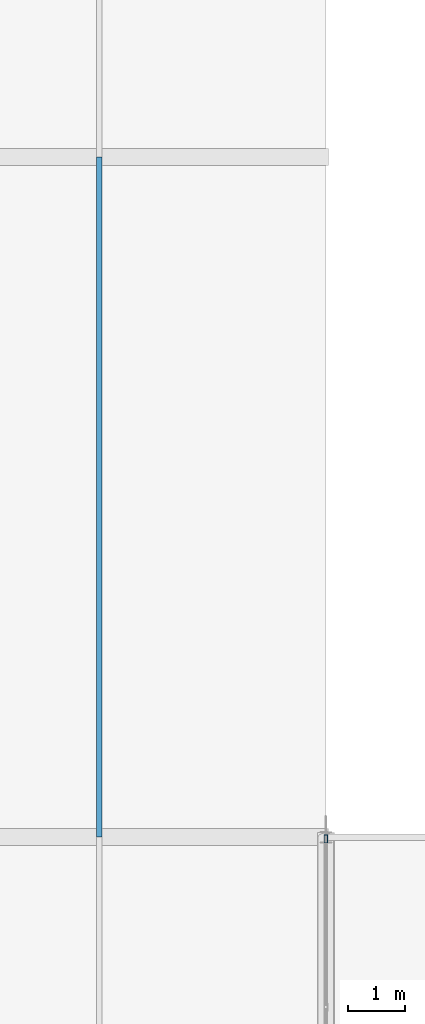
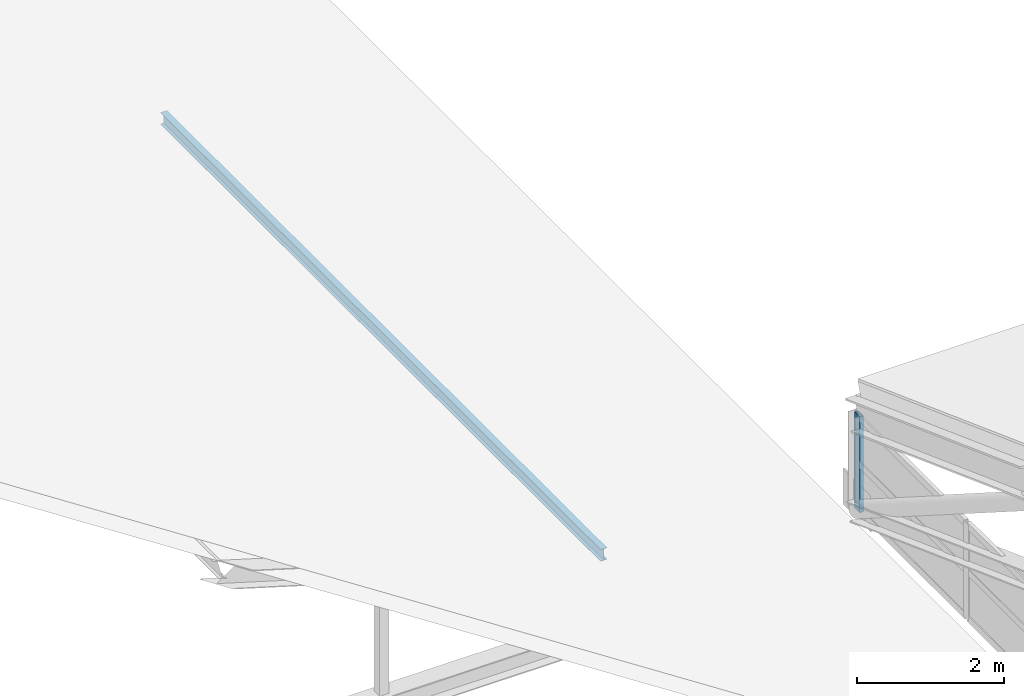
# One storey, part 41 of 204: 2 members, 1 element without a shape of its own.
"""IFC4 building model written with IfcOpenShell, lengths in metres."""

from ifc_helpers import new_model, si_unit, direction, frame, origin, origin_2d, place, context, subcontext, project, spatial, hollow_rectangle, i_section, extrude, material, layer, layer_set, material_profile, profile_set, type_object, element, aggregate, save


model = new_model("IFC4")

# Units and contexts
model_context = context("Model", 3, precision=1e-05, world=origin(), true_north=direction((0.0, 1.0)))
body_context = subcontext(model_context, "Body", "Model", "MODEL_VIEW")
ifc_project = project(units=[si_unit("LENGTHUNIT", "METRE"), si_unit("AREAUNIT", "SQUARE_METRE"), si_unit("VOLUMEUNIT", "CUBIC_METRE"), si_unit("PLANEANGLEUNIT", "RADIAN"), si_unit("MASSUNIT", "GRAM", prefix="KILO")], contexts=[model_context])

# Site, building, storey
site_placement = place(None, origin())
site = spatial("IfcSite", under=ifc_project, at=site_placement, CompositionType="ELEMENT")
building_placement = place(site_placement, origin())
building = spatial("IfcBuilding", under=site, at=building_placement, Name="Zilviju Railside Exhibition Hall", CompositionType="ELEMENT")
storey_placement = place(building_placement, frame((0.0, 0.0, 21.0)))
storey = spatial("IfcBuildingStorey", under=building, at=storey_placement, Name="RF", CompositionType="ELEMENT", Elevation=21.0)

# Curtain wall, member
ifc_material_1 = material(Name="Thermally broken aluminium-steel triple-glazed curtain wall", Category="steel")
ifc_layer = layer(ifc_material_1, 0.179931640625)
ifc_layer_set = layer_set([ifc_layer], Name="Thermally broken aluminium-steel triple-glazed curtain wall")
curtain_wall_type = type_object("IfcCurtainWallType", Name="CW-BAY-17", PredefinedType="USERDEFINED", material=ifc_layer_set)
curtain_wall_placement = place(storey_placement, origin())
curtain_wall = element("IfcCurtainWall", 1, at=curtain_wall_placement, inside=storey, type_object=curtain_wall_type, Name="South Hall Arch Tympanum Glazing West P9", ObjectType="GLAZED CURTAIN WALL", PredefinedType="USERDEFINED")
ifc_material_2 = material(Name="Thermally broken anodized aluminium mullion", Category="aluminium")
ifc_material_profile_1 = material_profile(ifc_material_2, hollow_rectangle(XDim=0.06005859375, YDim=0.139892578125, WallThickness=0.0048828125, at=origin_2d()), Name="MULLION 140x60x5")
ifc_profile_set_1 = profile_set([ifc_material_profile_1], Name="Thermally broken anodized aluminium mullion")
member_type_1 = type_object("IfcMemberType", Name="CWM-60x140", PredefinedType="MULLION", material=ifc_profile_set_1)
member_1_placement = place(storey_placement, frame((78.0, 53.969970703125, -7.800048828125), z_axis=(0.0, 0.0, 1.0), x_axis=(-1.0, 0.0, 0.0)))
member_1 = element("IfcMember", 2, at=member_1_placement, type_object=member_type_1, Name="CW-17 mullion 3", PredefinedType="MULLION", context=body_context, shape_type="SweptSolid", body=[
    extrude(hollow_rectangle(XDim=0.06005859375, YDim=0.139892578125, WallThickness=0.0048828125, at=origin_2d()), origin(), (0.0, 0.0, 1.0), 1.60009765625),
])
aggregate(curtain_wall, [member_1])

# Member
ifc_material_3 = material(Name="Steel S355J2", Category="steel")
ifc_material_profile_2 = material_profile(ifc_material_3, i_section(OverallWidth=0.10009765625, OverallDepth=0.199951171875, WebThickness=0.005615234375, FlangeThickness=0.008544921875, at=origin_2d()), Name="IPE 200")
ifc_profile_set_2 = profile_set([ifc_material_profile_2], Name="Steel S355J2")
member_type_2 = type_object("IfcMemberType", Name="TR-PUR-IPE200", PredefinedType="PURLIN", material=ifc_profile_set_2)
member_2_placement = place(storey_placement, frame((74.0, 54.0, -7.159912109375), z_axis=(0.0, 1.0, 0.0), x_axis=(-1.0, 0.0, 0.0)))
element("IfcMember", 3, at=member_2_placement, inside=storey, type_object=member_type_2, Name="Concourse Lantern Purlin X=74.0", PredefinedType="PURLIN", context=body_context, shape_type="SweptSolid", body=[
    extrude(i_section(OverallWidth=0.10009765625, OverallDepth=0.199951171875, WebThickness=0.005615234375, FlangeThickness=0.008544921875, at=origin_2d()), origin(), (0.0, 0.0, 1.0), 12.0),
])

save(model, "model.ifc")
